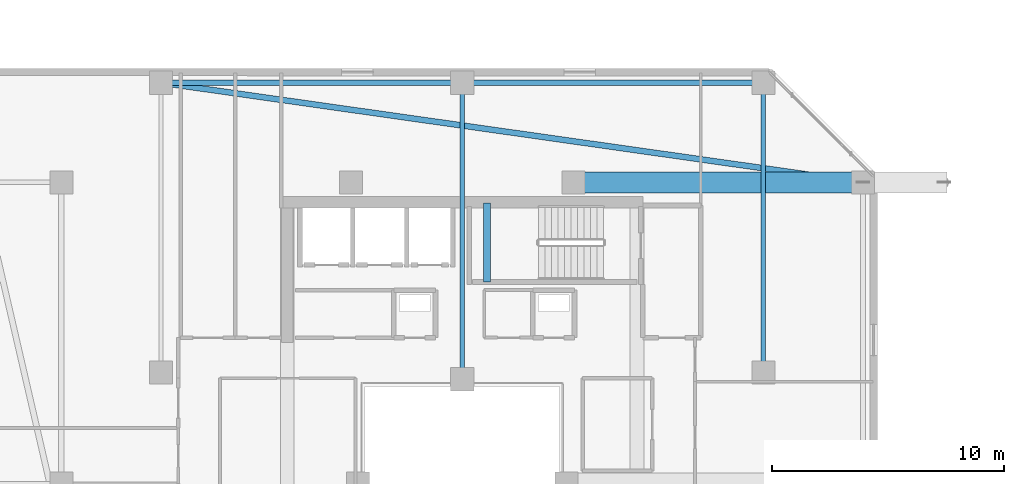
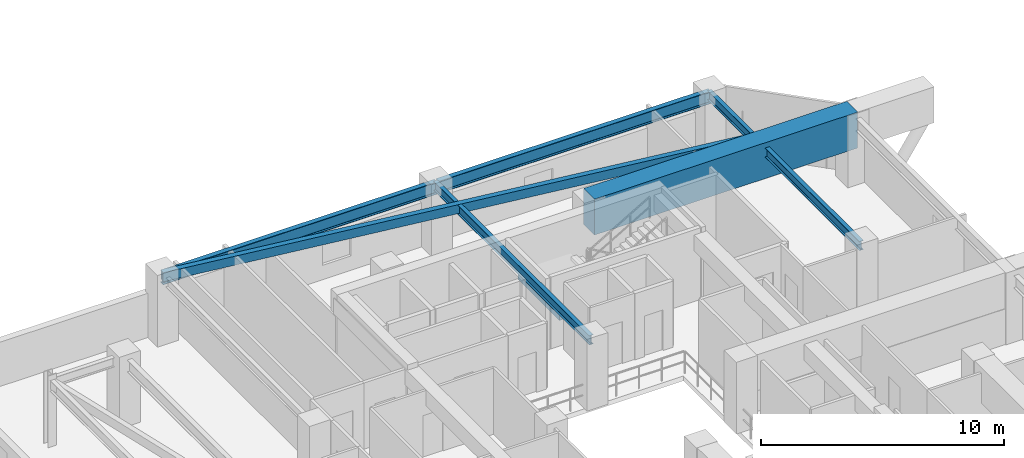
# One storey, part 8 of 34: 7 beams.
"""IFC4 building model written with IfcOpenShell, lengths in metres."""

from ifc_helpers import new_model, si_unit, direction, frame, origin, origin_2d, place, context, subcontext, project, spatial, rectangle, hollow_rectangle, i_section, extrude, material, material_profile, profile_set, type_object, element, save


model = new_model("IFC4")

# Units and contexts
model_context = context("Model", 3, precision=1e-05, world=origin(), true_north=direction((0.0, 1.0)))
body_context = subcontext(model_context, "Body", "Model", "MODEL_VIEW")
ifc_project = project(units=[si_unit("LENGTHUNIT", "METRE"), si_unit("AREAUNIT", "SQUARE_METRE"), si_unit("VOLUMEUNIT", "CUBIC_METRE"), si_unit("PLANEANGLEUNIT", "RADIAN"), si_unit("MASSUNIT", "GRAM", prefix="KILO")], contexts=[model_context])

# Site, building, storey
site_placement = place(None, origin())
site = spatial("IfcSite", under=ifc_project, at=site_placement, CompositionType="ELEMENT")
building_placement = place(site_placement, origin())
building = spatial("IfcBuilding", under=site, at=building_placement, Name="Thornwick Lancets Civic Towers", CompositionType="ELEMENT")
storey_placement = place(building_placement, frame((0.0, 0.0, 251.10009765625)))
storey = spatial("IfcBuildingStorey", under=building, at=storey_placement, Name="L67", CompositionType="ELEMENT", Elevation=251.10009765625)

# Beams
ifc_material_1 = material(Name="Steel S355JR", Category="steel")
ifc_material_profile_1 = material_profile(ifc_material_1, i_section(OverallWidth=0.230224609375, OverallDepth=0.6171875, WebThickness=0.01318359375, FlangeThickness=0.022216796875, FilletRadius=0.0126953125, at=origin_2d()), Name="UKB 610x229x140")
ifc_profile_set_1 = profile_set([ifc_material_profile_1], Name="Steel S355JR")
beam_type_1 = type_object("IfcBeamType", Name="BM_GIRD_610_140", PredefinedType="BEAM", material=ifc_profile_set_1)
beam_1_placement = place(storey_placement, frame((12.5, 44.300048828125, 3.03125), z_axis=(1.0, 0.0, 0.0), x_axis=(0.0, 1.0, 0.0)))
element("IfcBeam", 1, at=beam_1_placement, inside=storey, type_object=beam_type_1, Name="BM-SPINE-L67-A-6-7", PredefinedType="BEAM", context=body_context, shape_type="SweptSolid", body=[
    extrude(i_section(OverallWidth=0.230224609375, OverallDepth=0.6171875, WebThickness=0.01318359375, FlangeThickness=0.022216796875, FilletRadius=0.0126953125, at=origin_2d()), origin(), (0.0, 0.0, 1.0), 13.0),
])
beam_2_placement = place(storey_placement, frame((25.580078125, 44.300048828125, 3.03125), z_axis=(1.0, 0.0, 0.0), x_axis=(0.0, 1.0, 0.0)))
element("IfcBeam", 2, at=beam_2_placement, inside=storey, type_object=beam_type_1, Name="BM-SPINE-L67-A-7-8", PredefinedType="BEAM", context=body_context, shape_type="SweptSolid", body=[
    extrude(i_section(OverallWidth=0.230224609375, OverallDepth=0.6171875, WebThickness=0.01318359375, FlangeThickness=0.022216796875, FilletRadius=0.0126953125, at=origin_2d()), origin(), (0.0, 0.0, 1.0), 12.919921875),
])
ifc_material_profile_2 = material_profile(ifc_material_1, i_section(OverallWidth=0.19189453125, OverallDepth=0.46337890625, WebThickness=0.010498046875, FlangeThickness=0.017578125, FilletRadius=0.01025390625, at=origin_2d()), Name="UKB 457x191x89")
ifc_profile_set_2 = profile_set([ifc_material_profile_2], Name="Steel S355JR")
beam_type_2 = type_object("IfcBeamType", Name="BM_JOIST_457_89", PredefinedType="JOIST", material=ifc_profile_set_2)
beam_3_placement = place(storey_placement, frame((25.5, 31.5, 3.108154296875), z_axis=(0.0, 1.0, 0.0), x_axis=(-1.0, 0.0, 0.0)))
element("IfcBeam", 3, at=beam_3_placement, inside=storey, type_object=beam_type_2, Name="BM-RADIN-L67-A08", PredefinedType="JOIST", context=body_context, shape_type="SweptSolid", body=[
    extrude(i_section(OverallWidth=0.19189453125, OverallDepth=0.46337890625, WebThickness=0.010498046875, FlangeThickness=0.017578125, FilletRadius=0.01025390625, at=origin_2d()), origin(), (0.0, 0.0, 1.0), 12.800048828125),
])
beam_4_placement = place(storey_placement, frame((38.5, 31.800048828125, 3.108154296875), z_axis=(0.0, 1.0, 0.0), x_axis=(-1.0, 0.0, 0.0)))
element("IfcBeam", 4, at=beam_4_placement, inside=storey, type_object=beam_type_2, Name="BM-RADIN-L67-A09", PredefinedType="JOIST", context=body_context, shape_type="SweptSolid", body=[
    extrude(i_section(OverallWidth=0.19189453125, OverallDepth=0.46337890625, WebThickness=0.010498046875, FlangeThickness=0.017578125, FilletRadius=0.01025390625, at=origin_2d()), origin(), (0.0, 0.0, 1.0), 12.5),
])
ifc_material_profile_3 = material_profile(ifc_material_1, hollow_rectangle(XDim=0.25, YDim=0.449951171875, WallThickness=0.01611328125, at=origin_2d()), Name="RHS 450x250x16")
ifc_profile_set_3 = profile_set([ifc_material_profile_3], Name="Steel S355JR")
beam_type_3 = type_object("IfcBeamType", Name="BM_RING_RHS450", PredefinedType="BEAM", material=ifc_profile_set_3)
beam_5_placement = place(storey_placement, frame((42.800048828125, 40.0, 3.114990234375), z_axis=(-0.990079584012, 0.140507712682, 0.0), x_axis=(-0.140507712682, -0.990079584012, 0.0)))
element("IfcBeam", 5, at=beam_5_placement, inside=storey, type_object=beam_type_3, Name="BM-CHAMF-L67-A-C1", PredefinedType="BEAM", context=body_context, shape_type="SweptSolid", body=[
    extrude(hollow_rectangle(XDim=0.25, YDim=0.449951171875, WallThickness=0.01611328125, at=origin_2d()), origin(), (0.0, 0.0, 1.0), 30.603759765625),
])
ifc_material_2 = material(Name="Concrete C40/50", Category="concrete")
ifc_material_profile_4 = material_profile(ifc_material_2, rectangle(XDim=0.300048828125, YDim=0.35009765625, at=origin_2d()), Name="RC 300x350")
ifc_profile_set_4 = profile_set([ifc_material_profile_4], Name="Concrete C40/50")
beam_type_4 = type_object("IfcBeamType", Name="BM_STAIR_LDG", PredefinedType="BEAM", material=ifc_profile_set_4)
beam_6_placement = place(storey_placement, frame((26.56494140625, 39.10009765625, 1.3779296875), z_axis=(0.0, -1.0, 0.0), x_axis=(1.0, 0.0, 0.0)))
element("IfcBeam", 6, at=beam_6_placement, inside=storey, type_object=beam_type_4, Name="L67 ST-A2 Landing Support Beam 1", PredefinedType="BEAM", context=body_context, shape_type="SweptSolid", body=[
    extrude(rectangle(XDim=0.300048828125, YDim=0.35009765625, at=origin_2d()), origin(), (0.0, 0.0, 1.0), 3.400146484375),
])
ifc_material_3 = material(Name="Concrete C60/75", Category="concrete")
ifc_material_profile_5 = material_profile(ifc_material_3, rectangle(XDim=0.89990234375, YDim=1.800048828125, at=origin_2d()), Name="RC 900x1800")
ifc_profile_set_5 = profile_set([ifc_material_profile_5], Name="Concrete C60/75")
beam_type_5 = type_object("IfcBeamType", Name="BM_TR_RC1800", PredefinedType="BEAM", material=ifc_profile_set_5)
beam_7_placement = place(storey_placement, frame((30.300048828125, 40.0, 2.699951171875), z_axis=(1.0, 0.0, 0.0), x_axis=(0.0, 1.0, 0.0)))
element("IfcBeam", 7, at=beam_7_placement, inside=storey, type_object=beam_type_5, Name="TG-BACK-L68-A06", PredefinedType="BEAM", context=body_context, shape_type="SweptSolid", body=[
    extrude(rectangle(XDim=0.89990234375, YDim=1.800048828125, at=origin_2d()), origin(), (0.0, 0.0, 1.0), 12.5),
])

save(model, "model.ifc")
